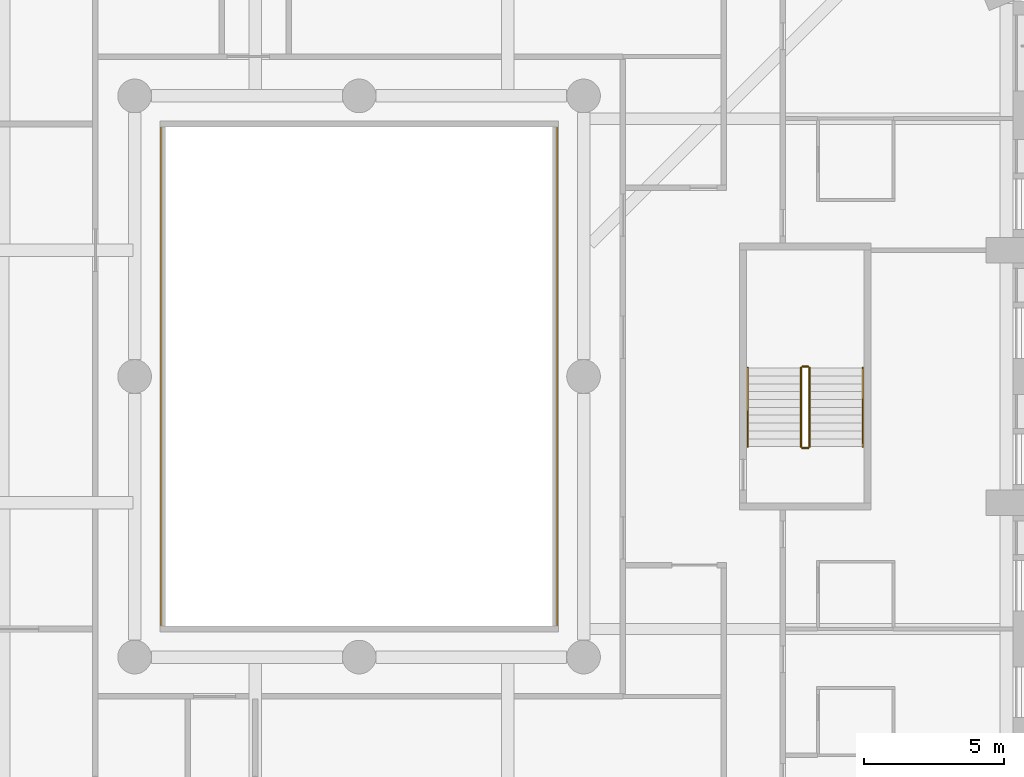
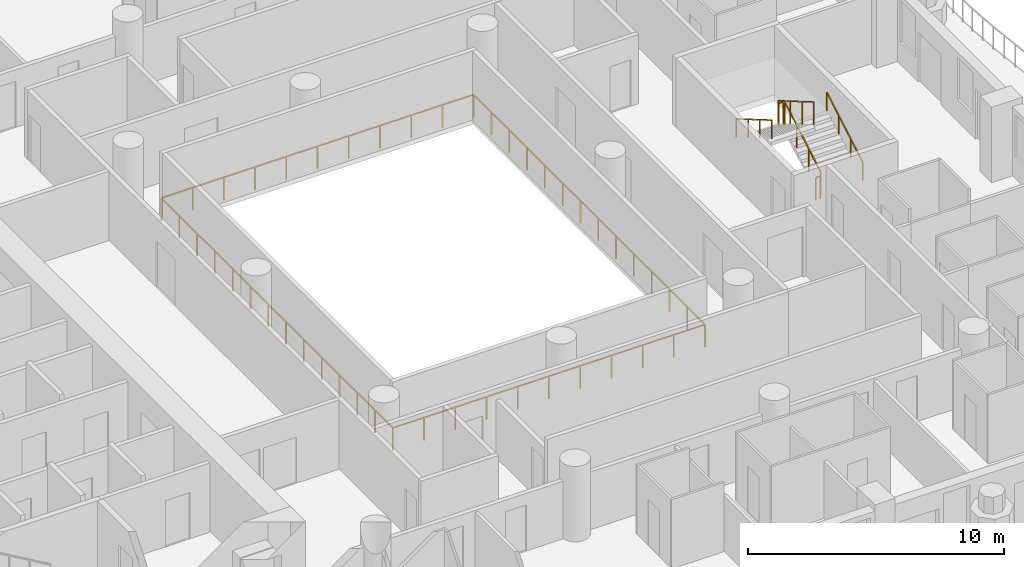
# One storey, part 15 of 20: 7 railings.
"""IFC4 building model written with IfcOpenShell, lengths in metres."""

from ifc_helpers import new_model, si_unit, direction, frame, origin, origin_2d, place, context, subcontext, project, spatial, rectangle, extrude, material, type_object, element, save


model = new_model("IFC4")

# Units and contexts
model_context = context("Model", 3, precision=1e-05, world=origin(), true_north=direction((0.0, 1.0)))
body_context = subcontext(model_context, "Body", "Model", "MODEL_VIEW")
ifc_project = project(units=[si_unit("LENGTHUNIT", "METRE"), si_unit("AREAUNIT", "SQUARE_METRE"), si_unit("VOLUMEUNIT", "CUBIC_METRE"), si_unit("PLANEANGLEUNIT", "RADIAN"), si_unit("MASSUNIT", "GRAM", prefix="KILO")], contexts=[model_context])

# Site, building, storey
site_placement = place(None, origin())
site = spatial("IfcSite", under=ifc_project, at=site_placement, CompositionType="ELEMENT")
building_placement = place(site_placement, origin())
building = spatial("IfcBuilding", under=site, at=building_placement, Name="Cypress Arch Tower", CompositionType="ELEMENT")
storey_placement = place(building_placement, frame((0.0, 0.0, 59.10009765625)))
storey = spatial("IfcBuildingStorey", under=building, at=storey_placement, Name="L08", CompositionType="ELEMENT", Elevation=59.10009765625)

# Railings
ifc_material_1 = material(Name="Stainless steel posts and handrail, laminated glass infill", Category="steel")
railing_type_1 = type_object("IfcRailingType", Name="Atrium guard GR1100A", PredefinedType="GUARDRAIL", material=ifc_material_1)
railing_1_placement = place(storey_placement, frame((8.050048828125, -9.050048828125, 0.0)))
element("IfcRailing", 1, at=railing_1_placement, inside=storey, type_object=railing_type_1, Name="Atrium guard L08", PredefinedType="GUARDRAIL", context=body_context, shape_type="SweptSolid", body=[
    extrude(rectangle(XDim=0.050048828125, YDim=0.050048828125, at=origin_2d()), frame((0.0, 0.0, 1.0751953125), z_axis=(-1.0, 0.0, 0.0), x_axis=(0.0, -1.0, 0.0)), (0.0, 0.0, 1.0), 14.10009765625),
    extrude(rectangle(XDim=0.050048828125, YDim=0.050048828125, at=origin_2d()), frame((-14.10009765625, 0.0, 1.0751953125), z_axis=(0.0, 1.0, 0.0), x_axis=(-1.0, 0.0, 0.0)), (0.0, 0.0, 1.0), 18.10009765625),
    extrude(rectangle(XDim=0.050048828125, YDim=0.050048828125, at=origin_2d()), frame((-14.10009765625, 18.10009765625, 1.0751953125), z_axis=(1.0, 0.0, 0.0), x_axis=(0.0, 1.0, 0.0)), (0.0, 0.0, 1.0), 14.10009765625),
    extrude(rectangle(XDim=0.050048828125, YDim=0.050048828125, at=origin_2d()), frame((0.0, 18.10009765625, 1.0751953125), z_axis=(0.0, -1.0, 0.0), x_axis=(1.0, 0.0, 0.0)), (0.0, 0.0, 1.0), 18.10009765625),
    extrude(rectangle(XDim=0.050048828125, YDim=0.050048828125, at=origin_2d()), origin(), (0.0, 0.0, 1.0), 1.050048828125),
    extrude(rectangle(XDim=0.050048828125, YDim=0.050048828125, at=origin_2d()), frame((-1.409912109375, 0.0, 0.0)), (0.0, 0.0, 1.0), 1.050048828125),
    extrude(rectangle(XDim=0.050048828125, YDim=0.050048828125, at=origin_2d()), frame((-2.820068359375, 0.0, 0.0)), (0.0, 0.0, 1.0), 1.050048828125),
    extrude(rectangle(XDim=0.050048828125, YDim=0.050048828125, at=origin_2d()), frame((-4.22998046875, 0.0, 0.0)), (0.0, 0.0, 1.0), 1.050048828125),
    extrude(rectangle(XDim=0.050048828125, YDim=0.050048828125, at=origin_2d()), frame((-5.64013671875, 0.0, 0.0)), (0.0, 0.0, 1.0), 1.050048828125),
    extrude(rectangle(XDim=0.050048828125, YDim=0.050048828125, at=origin_2d()), frame((-7.050048828125, 0.0, 0.0)), (0.0, 0.0, 1.0), 1.050048828125),
    extrude(rectangle(XDim=0.050048828125, YDim=0.050048828125, at=origin_2d()), frame((-8.4599609375, 0.0, 0.0)), (0.0, 0.0, 1.0), 1.050048828125),
    extrude(rectangle(XDim=0.050048828125, YDim=0.050048828125, at=origin_2d()), frame((-9.8701171875, 0.0, 0.0)), (0.0, 0.0, 1.0), 1.050048828125),
    extrude(rectangle(XDim=0.050048828125, YDim=0.050048828125, at=origin_2d()), frame((-11.280029296875, 0.0, 0.0)), (0.0, 0.0, 1.0), 1.050048828125),
    extrude(rectangle(XDim=0.050048828125, YDim=0.050048828125, at=origin_2d()), frame((-12.690185546875, 0.0, 0.0)), (0.0, 0.0, 1.0), 1.050048828125),
    extrude(rectangle(XDim=0.050048828125, YDim=0.050048828125, at=origin_2d()), frame((-14.10009765625, 0.0, 0.0)), (0.0, 0.0, 1.0), 1.050048828125),
    extrude(rectangle(XDim=0.050048828125, YDim=0.050048828125, at=origin_2d()), frame((-14.10009765625, 1.392333984375, 0.0)), (0.0, 0.0, 1.0), 1.050048828125),
    extrude(rectangle(XDim=0.050048828125, YDim=0.050048828125, at=origin_2d()), frame((-14.10009765625, 2.78466796875, 0.0)), (0.0, 0.0, 1.0), 1.050048828125),
    extrude(rectangle(XDim=0.050048828125, YDim=0.050048828125, at=origin_2d()), frame((-14.10009765625, 4.177001953125, 0.0)), (0.0, 0.0, 1.0), 1.050048828125),
    extrude(rectangle(XDim=0.050048828125, YDim=0.050048828125, at=origin_2d()), frame((-14.10009765625, 5.5693359375, 0.0)), (0.0, 0.0, 1.0), 1.050048828125),
    extrude(rectangle(XDim=0.050048828125, YDim=0.050048828125, at=origin_2d()), frame((-14.10009765625, 6.961669921875, 0.0)), (0.0, 0.0, 1.0), 1.050048828125),
    extrude(rectangle(XDim=0.050048828125, YDim=0.050048828125, at=origin_2d()), frame((-14.10009765625, 8.35400390625, 0.0)), (0.0, 0.0, 1.0), 1.050048828125),
    extrude(rectangle(XDim=0.050048828125, YDim=0.050048828125, at=origin_2d()), frame((-14.10009765625, 9.74609375, 0.0)), (0.0, 0.0, 1.0), 1.050048828125),
    extrude(rectangle(XDim=0.050048828125, YDim=0.050048828125, at=origin_2d()), frame((-14.10009765625, 11.138427734375, 0.0)), (0.0, 0.0, 1.0), 1.050048828125),
    extrude(rectangle(XDim=0.050048828125, YDim=0.050048828125, at=origin_2d()), frame((-14.10009765625, 12.53076171875, 0.0)), (0.0, 0.0, 1.0), 1.050048828125),
    extrude(rectangle(XDim=0.050048828125, YDim=0.050048828125, at=origin_2d()), frame((-14.10009765625, 13.923095703125, 0.0)), (0.0, 0.0, 1.0), 1.050048828125),
    extrude(rectangle(XDim=0.050048828125, YDim=0.050048828125, at=origin_2d()), frame((-14.10009765625, 15.3154296875, 0.0)), (0.0, 0.0, 1.0), 1.050048828125),
    extrude(rectangle(XDim=0.050048828125, YDim=0.050048828125, at=origin_2d()), frame((-14.10009765625, 16.707763671875, 0.0)), (0.0, 0.0, 1.0), 1.050048828125),
    extrude(rectangle(XDim=0.050048828125, YDim=0.050048828125, at=origin_2d()), frame((-14.10009765625, 18.10009765625, 0.0)), (0.0, 0.0, 1.0), 1.050048828125),
    extrude(rectangle(XDim=0.050048828125, YDim=0.050048828125, at=origin_2d()), frame((-12.690185546875, 18.10009765625, 0.0)), (0.0, 0.0, 1.0), 1.050048828125),
    extrude(rectangle(XDim=0.050048828125, YDim=0.050048828125, at=origin_2d()), frame((-11.280029296875, 18.10009765625, 0.0)), (0.0, 0.0, 1.0), 1.050048828125),
    extrude(rectangle(XDim=0.050048828125, YDim=0.050048828125, at=origin_2d()), frame((-9.8701171875, 18.10009765625, 0.0)), (0.0, 0.0, 1.0), 1.050048828125),
    extrude(rectangle(XDim=0.050048828125, YDim=0.050048828125, at=origin_2d()), frame((-8.4599609375, 18.10009765625, 0.0)), (0.0, 0.0, 1.0), 1.050048828125),
    extrude(rectangle(XDim=0.050048828125, YDim=0.050048828125, at=origin_2d()), frame((-7.050048828125, 18.10009765625, 0.0)), (0.0, 0.0, 1.0), 1.050048828125),
    extrude(rectangle(XDim=0.050048828125, YDim=0.050048828125, at=origin_2d()), frame((-5.64013671875, 18.10009765625, 0.0)), (0.0, 0.0, 1.0), 1.050048828125),
    extrude(rectangle(XDim=0.050048828125, YDim=0.050048828125, at=origin_2d()), frame((-4.22998046875, 18.10009765625, 0.0)), (0.0, 0.0, 1.0), 1.050048828125),
    extrude(rectangle(XDim=0.050048828125, YDim=0.050048828125, at=origin_2d()), frame((-2.820068359375, 18.10009765625, 0.0)), (0.0, 0.0, 1.0), 1.050048828125),
    extrude(rectangle(XDim=0.050048828125, YDim=0.050048828125, at=origin_2d()), frame((-1.409912109375, 18.10009765625, 0.0)), (0.0, 0.0, 1.0), 1.050048828125),
    extrude(rectangle(XDim=0.050048828125, YDim=0.050048828125, at=origin_2d()), frame((0.0, 18.10009765625, 0.0)), (0.0, 0.0, 1.0), 1.050048828125),
    extrude(rectangle(XDim=0.050048828125, YDim=0.050048828125, at=origin_2d()), frame((0.0, 16.707763671875, 0.0)), (0.0, 0.0, 1.0), 1.050048828125),
    extrude(rectangle(XDim=0.050048828125, YDim=0.050048828125, at=origin_2d()), frame((0.0, 15.3154296875, 0.0)), (0.0, 0.0, 1.0), 1.050048828125),
    extrude(rectangle(XDim=0.050048828125, YDim=0.050048828125, at=origin_2d()), frame((0.0, 13.923095703125, 0.0)), (0.0, 0.0, 1.0), 1.050048828125),
    extrude(rectangle(XDim=0.050048828125, YDim=0.050048828125, at=origin_2d()), frame((0.0, 12.53076171875, 0.0)), (0.0, 0.0, 1.0), 1.050048828125),
    extrude(rectangle(XDim=0.050048828125, YDim=0.050048828125, at=origin_2d()), frame((0.0, 11.138427734375, 0.0)), (0.0, 0.0, 1.0), 1.050048828125),
    extrude(rectangle(XDim=0.050048828125, YDim=0.050048828125, at=origin_2d()), frame((0.0, 9.74609375, 0.0)), (0.0, 0.0, 1.0), 1.050048828125),
    extrude(rectangle(XDim=0.050048828125, YDim=0.050048828125, at=origin_2d()), frame((0.0, 8.35400390625, 0.0)), (0.0, 0.0, 1.0), 1.050048828125),
    extrude(rectangle(XDim=0.050048828125, YDim=0.050048828125, at=origin_2d()), frame((0.0, 6.961669921875, 0.0)), (0.0, 0.0, 1.0), 1.050048828125),
    extrude(rectangle(XDim=0.050048828125, YDim=0.050048828125, at=origin_2d()), frame((0.0, 5.5693359375, 0.0)), (0.0, 0.0, 1.0), 1.050048828125),
    extrude(rectangle(XDim=0.050048828125, YDim=0.050048828125, at=origin_2d()), frame((0.0, 4.177001953125, 0.0)), (0.0, 0.0, 1.0), 1.050048828125),
    extrude(rectangle(XDim=0.050048828125, YDim=0.050048828125, at=origin_2d()), frame((0.0, 2.78466796875, 0.0)), (0.0, 0.0, 1.0), 1.050048828125),
    extrude(rectangle(XDim=0.050048828125, YDim=0.050048828125, at=origin_2d()), frame((0.0, 1.392333984375, 0.0)), (0.0, 0.0, 1.0), 1.050048828125),
])
ifc_material_2 = material(Name="Black powder-coated steel square bar 48 mm", Category="steel")
railing_type_2 = type_object("IfcRailingType", Name="Stair handrail HR1", PredefinedType="HANDRAIL", material=ifc_material_2)
railing_2_placement = place(storey_placement, frame((18.949951171875, -2.5, 0.16357421875)))
element("IfcRailing", 2, at=railing_2_placement, inside=storey, type_object=railing_type_2, Name="L08 C stair handrail 1", PredefinedType="HANDRAIL", context=body_context, shape_type="SweptSolid", body=[
    extrude(rectangle(XDim=0.048095703125, YDim=0.048095703125, at=origin_2d()), frame((0.0, 0.0, 0.8759765625), z_axis=(0.0, 0.863393664356, 0.504530851732), x_axis=(-1.0, 0.0, 0.0)), (0.0, 0.0, 1.0), 3.2431640625),
    extrude(rectangle(XDim=0.0419921875, YDim=0.0419921875, at=origin_2d()), origin(), (0.0, 0.0, 1.0), 0.851806640625),
    extrude(rectangle(XDim=0.0419921875, YDim=0.0419921875, at=origin_2d()), frame((0.0, 0.933349609375, 0.54541015625)), (0.0, 0.0, 1.0), 0.851806640625),
    extrude(rectangle(XDim=0.0419921875, YDim=0.0419921875, at=origin_2d()), frame((0.0, 1.86669921875, 1.0908203125)), (0.0, 0.0, 1.0), 0.851806640625),
    extrude(rectangle(XDim=0.0419921875, YDim=0.0419921875, at=origin_2d()), frame((0.0, 2.800048828125, 1.63623046875)), (0.0, 0.0, 1.0), 0.851806640625),
])
railing_3_placement = place(storey_placement, frame((14.85009765625, 0.300048828125, 1.963623046875)))
element("IfcRailing", 3, at=railing_3_placement, inside=storey, type_object=railing_type_2, Name="L08 C stair handrail 2", PredefinedType="HANDRAIL", context=body_context, shape_type="SweptSolid", body=[
    extrude(rectangle(XDim=0.048095703125, YDim=0.048095703125, at=origin_2d()), frame((0.0, 0.0, 0.8759765625), z_axis=(0.0, -0.863393664356, 0.504530851732), x_axis=(1.0, 0.0, 0.0)), (0.0, 0.0, 1.0), 3.2431640625),
    extrude(rectangle(XDim=0.0419921875, YDim=0.0419921875, at=origin_2d()), origin(), (0.0, 0.0, 1.0), 0.851806640625),
    extrude(rectangle(XDim=0.0419921875, YDim=0.0419921875, at=origin_2d()), frame((0.0, -0.933349609375, 0.54541015625)), (0.0, 0.0, 1.0), 0.851806640625),
    extrude(rectangle(XDim=0.0419921875, YDim=0.0419921875, at=origin_2d()), frame((0.0, -1.86669921875, 1.0908203125)), (0.0, 0.0, 1.0), 0.851806640625),
    extrude(rectangle(XDim=0.0419921875, YDim=0.0419921875, at=origin_2d()), frame((0.0, -2.800048828125, 1.63623046875)), (0.0, 0.0, 1.0), 0.851806640625),
])
ifc_material_3 = material(Name="Black powder-coated steel balusters", Category="steel")
railing_type_3 = type_object("IfcRailingType", Name="Stair well guard G1", PredefinedType="GUARDRAIL", material=ifc_material_3)
railing_4_placement = place(storey_placement, frame((17.050048828125, -2.5, 0.16357421875)))
element("IfcRailing", 4, at=railing_4_placement, inside=storey, type_object=railing_type_3, Name="L08 C stair guard 1", PredefinedType="GUARDRAIL", context=body_context, shape_type="SweptSolid", body=[
    extrude(rectangle(XDim=0.048095703125, YDim=0.048095703125, at=origin_2d()), frame((0.0, 0.0, 1.076171875), z_axis=(0.0, 0.863393664356, 0.504530851732), x_axis=(-1.0, 0.0, 0.0)), (0.0, 0.0, 1.0), 3.2431640625),
    extrude(rectangle(XDim=0.0419921875, YDim=0.0419921875, at=origin_2d()), origin(), (0.0, 0.0, 1.0), 1.052001953125),
    extrude(rectangle(XDim=0.0419921875, YDim=0.0419921875, at=origin_2d()), frame((0.0, 0.933349609375, 0.54541015625)), (0.0, 0.0, 1.0), 1.052001953125),
    extrude(rectangle(XDim=0.0419921875, YDim=0.0419921875, at=origin_2d()), frame((0.0, 1.86669921875, 1.0908203125)), (0.0, 0.0, 1.0), 1.052001953125),
    extrude(rectangle(XDim=0.0419921875, YDim=0.0419921875, at=origin_2d()), frame((0.0, 2.800048828125, 1.63623046875)), (0.0, 0.0, 1.0), 1.052001953125),
])
railing_5_placement = place(storey_placement, frame((17.0, 0.35009765625, 1.7998046875)))
element("IfcRailing", 5, at=railing_5_placement, inside=storey, type_object=railing_type_3, Name="L08 C stair guard 2", PredefinedType="GUARDRAIL", context=body_context, shape_type="SweptSolid", body=[
    extrude(rectangle(XDim=0.048095703125, YDim=0.048095703125, at=origin_2d()), frame((0.0, 0.0, 1.076171875), z_axis=(-1.0, 0.0, 0.0), x_axis=(0.0, -1.0, 0.0)), (0.0, 0.0, 1.0), 0.199951171875),
    extrude(rectangle(XDim=0.0419921875, YDim=0.0419921875, at=origin_2d()), origin(), (0.0, 0.0, 1.0), 1.052001953125),
    extrude(rectangle(XDim=0.0419921875, YDim=0.0419921875, at=origin_2d()), frame((-0.199951171875, 0.0, 0.0)), (0.0, 0.0, 1.0), 1.052001953125),
])
railing_6_placement = place(storey_placement, frame((16.75, 0.300048828125, 1.963623046875)))
element("IfcRailing", 6, at=railing_6_placement, inside=storey, type_object=railing_type_3, Name="L08 C stair guard 3", PredefinedType="GUARDRAIL", context=body_context, shape_type="SweptSolid", body=[
    extrude(rectangle(XDim=0.048095703125, YDim=0.048095703125, at=origin_2d()), frame((0.0, 0.0, 1.076171875), z_axis=(0.0, -0.863393664356, 0.504530851732), x_axis=(1.0, 0.0, 0.0)), (0.0, 0.0, 1.0), 3.2431640625),
    extrude(rectangle(XDim=0.0419921875, YDim=0.0419921875, at=origin_2d()), origin(), (0.0, 0.0, 1.0), 1.052001953125),
    extrude(rectangle(XDim=0.0419921875, YDim=0.0419921875, at=origin_2d()), frame((0.0, -0.933349609375, 0.54541015625)), (0.0, 0.0, 1.0), 1.052001953125),
    extrude(rectangle(XDim=0.0419921875, YDim=0.0419921875, at=origin_2d()), frame((0.0, -1.86669921875, 1.0908203125)), (0.0, 0.0, 1.0), 1.052001953125),
    extrude(rectangle(XDim=0.0419921875, YDim=0.0419921875, at=origin_2d()), frame((0.0, -2.800048828125, 1.63623046875)), (0.0, 0.0, 1.0), 1.052001953125),
])
railing_7_placement = place(storey_placement, frame((17.0, -2.550048828125, 0.0)))
element("IfcRailing", 7, at=railing_7_placement, inside=storey, type_object=railing_type_3, Name="L08 C stair guard 4", PredefinedType="GUARDRAIL", context=body_context, shape_type="SweptSolid", body=[
    extrude(rectangle(XDim=0.048095703125, YDim=0.048095703125, at=origin_2d()), frame((0.0, 0.0, 1.076171875), z_axis=(-1.0, 0.0, 0.0), x_axis=(0.0, -1.0, 0.0)), (0.0, 0.0, 1.0), 0.199951171875),
    extrude(rectangle(XDim=0.0419921875, YDim=0.0419921875, at=origin_2d()), origin(), (0.0, 0.0, 1.0), 1.052001953125),
    extrude(rectangle(XDim=0.0419921875, YDim=0.0419921875, at=origin_2d()), frame((-0.199951171875, 0.0, 0.0)), (0.0, 0.0, 1.0), 1.052001953125),
])

save(model, "model.ifc")
